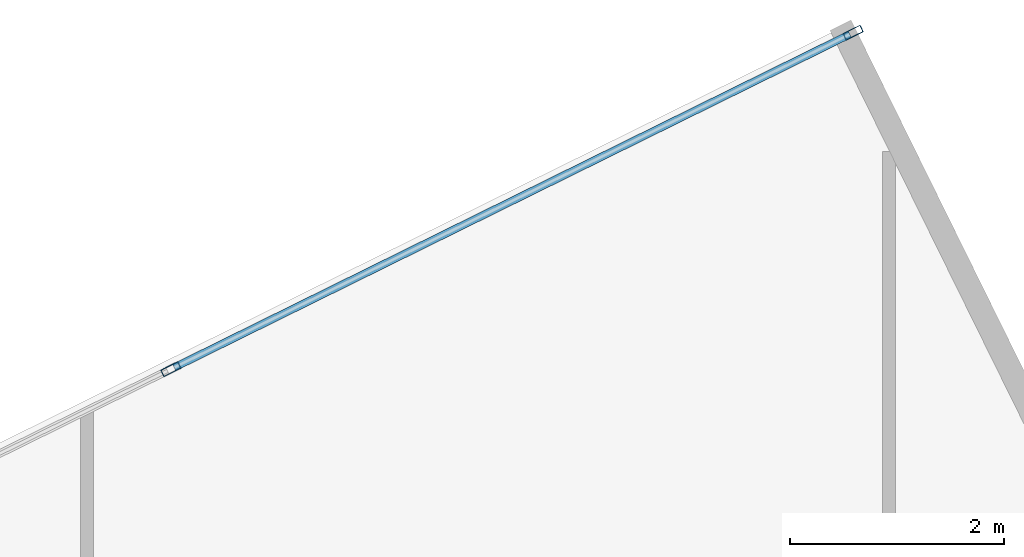
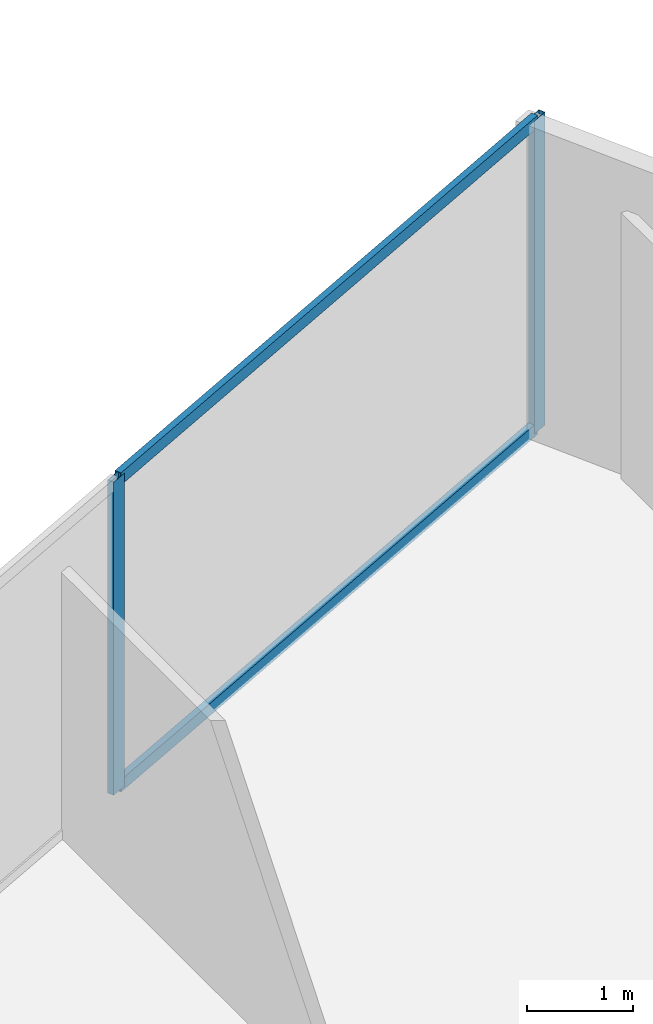
# One storey, part 15 of 22: 4 members, 1 element without a shape of its own.
"""IFC4 building model written with IfcOpenShell, lengths in metres."""

from ifc_helpers import new_model, si_unit, direction, frame, origin, origin_2d, place, context, subcontext, project, spatial, hollow_rectangle, extrude, source, transform, mapped, material, material_profile, profile_set, type_object, type_shapes, element, aggregate, save


model = new_model("IFC4")

# Units and contexts
model_context = context("Model", 3, precision=1e-05, world=origin(), true_north=direction((0.0, 1.0)))
body_context = subcontext(model_context, "Body", "Model", "MODEL_VIEW")
ifc_project = project(units=[si_unit("LENGTHUNIT", "METRE"), si_unit("AREAUNIT", "SQUARE_METRE"), si_unit("VOLUMEUNIT", "CUBIC_METRE"), si_unit("PLANEANGLEUNIT", "RADIAN"), si_unit("MASSUNIT", "GRAM", prefix="KILO")], contexts=[model_context])

# Site, building, storey
site_placement = place(None, origin())
site = spatial("IfcSite", under=ifc_project, at=site_placement, CompositionType="ELEMENT")
building_placement = place(site_placement, origin())
building = spatial("IfcBuilding", under=site, at=building_placement, Name="Krantzveldt Concourse Tower", CompositionType="ELEMENT")
storey_placement = place(building_placement, frame((0.0, 0.0, 314.800048828125)))
storey = spatial("IfcBuildingStorey", under=building, at=storey_placement, Name="L77", CompositionType="ELEMENT", Elevation=314.800048828125)

# Curtain wall, members
ifc_material = material(Name="Anodised aluminium 6063-T6", Category="aluminium")
curtain_wall_type = type_object("IfcCurtainWallType", Name="CW4", PredefinedType="USERDEFINED", material=ifc_material)
curtain_wall_placement = place(storey_placement, origin())
curtain_wall = element("IfcCurtainWall", 1, at=curtain_wall_placement, inside=storey, type_object=curtain_wall_type, Name="CW-L77-F01", ObjectType="UNITISED CURTAIN WALL", PredefinedType="USERDEFINED")
ifc_material_profile_1 = material_profile(ifc_material, hollow_rectangle(XDim=0.070068359375, YDim=0.179931640625, WallThickness=0.0048828125, at=origin_2d()), Name="Anodised aluminium 6063-T6", Category="aluminium")
ifc_profile_set_1 = profile_set([ifc_material_profile_1], Name="Anodised aluminium 6063-T6 - ALU-MULL 180x70x5")
member_type_1 = type_object("IfcMemberType", Name="CW-MUL-180", PredefinedType="MULLION", material=ifc_profile_set_1)
shared_shape_1 = source(origin(), body_context, "Body", "SweptSolid", [
    extrude(hollow_rectangle(XDim=0.070068359375, YDim=0.179931640625, WallThickness=0.0048828125, at=origin_2d()), origin(), (0.0, 0.0, 1.0), 3.58984375),
])
type_shapes(member_type_1, [shared_shape_1])
member_1_placement = place(storey_placement, frame((40.164794921875, 50.50732421875, 0.0), z_axis=(0.0, 0.0, 1.0), x_axis=(0.442288511927, -0.896872829457, 0.0)))
member_1 = element("IfcMember", 2, at=member_1_placement, type_object=member_type_1, Name="CW-Z56 mullion 1", PredefinedType="MULLION", context=body_context, shape_type="MappedRepresentation", body=[
    mapped(shared_shape_1, transform((0.0, 0.0, 0.0), x_axis=(1.0, 0.0, 0.0), y_axis=(0.0, 1.0, 0.0), z_axis=(0.0, 0.0, 1.0), scale=1.0)),
])
member_2_placement = place(storey_placement, frame((33.78369140625, 47.3603515625, 0.0), z_axis=(0.0, 0.0, 1.0), x_axis=(0.442288511927, -0.896872829457, 0.0)))
member_2 = element("IfcMember", 3, at=member_2_placement, type_object=member_type_1, Name="CW-Z56 mullion 2", PredefinedType="MULLION", context=body_context, shape_type="MappedRepresentation", body=[
    mapped(shared_shape_1, transform((0.0, 0.0, 0.0), x_axis=(1.0, 0.0, 0.0), y_axis=(0.0, 1.0, 0.0), z_axis=(0.0, 0.0, 1.0), scale=1.0)),
])
ifc_material_profile_2 = material_profile(ifc_material, hollow_rectangle(XDim=0.070068359375, YDim=0.139892578125, WallThickness=0.0048828125, at=origin_2d()), Name="Anodised aluminium 6063-T6", Category="aluminium")
ifc_profile_set_2 = profile_set([ifc_material_profile_2], Name="Anodised aluminium 6063-T6 - ALU-TRAN 140x70x5")
member_type_2 = type_object("IfcMemberType", Name="CW-TRN-150", PredefinedType="USERDEFINED", material=ifc_profile_set_2)
shared_shape_2 = source(origin(), body_context, "Body", "SweptSolid", [
    extrude(hollow_rectangle(XDim=0.070068359375, YDim=0.139892578125, WallThickness=0.0048828125, at=origin_2d()), origin(), (0.0, 0.0, 1.0), 7.045166015625),
])
type_shapes(member_type_2, [shared_shape_2])
member_3_placement = place(storey_placement, frame((40.133544921875, 50.49169921875, 0.034912109375), z_axis=(-0.896874071777, -0.44228599274, 0.0), x_axis=(0.44228599274, -0.896874071777, 0.0)))
member_3 = element("IfcMember", 4, at=member_3_placement, type_object=member_type_2, Name="CW-Z56 transom 1.1", ObjectType="TRANSOM", PredefinedType="USERDEFINED", context=body_context, shape_type="MappedRepresentation", body=[
    mapped(shared_shape_2, transform((0.0, 0.0, 0.0), x_axis=(1.0, 0.0, 0.0), y_axis=(0.0, 1.0, 0.0), z_axis=(0.0, 0.0, 1.0), scale=1.0)),
])
member_4_placement = place(storey_placement, frame((40.133544921875, 50.49169921875, 3.554931640625), z_axis=(-0.896874071777, -0.44228599274, 0.0), x_axis=(0.44228599274, -0.896874071777, 0.0)))
member_4 = element("IfcMember", 5, at=member_4_placement, type_object=member_type_2, Name="CW-Z56 transom 1.2", ObjectType="TRANSOM", PredefinedType="USERDEFINED", context=body_context, shape_type="MappedRepresentation", body=[
    mapped(shared_shape_2, transform((0.0, 0.0, 0.0), x_axis=(1.0, 0.0, 0.0), y_axis=(0.0, 1.0, 0.0), z_axis=(0.0, 0.0, 1.0), scale=1.0)),
])
aggregate(curtain_wall, [member_1, member_2, member_3, member_4])

save(model, "model.ifc")
